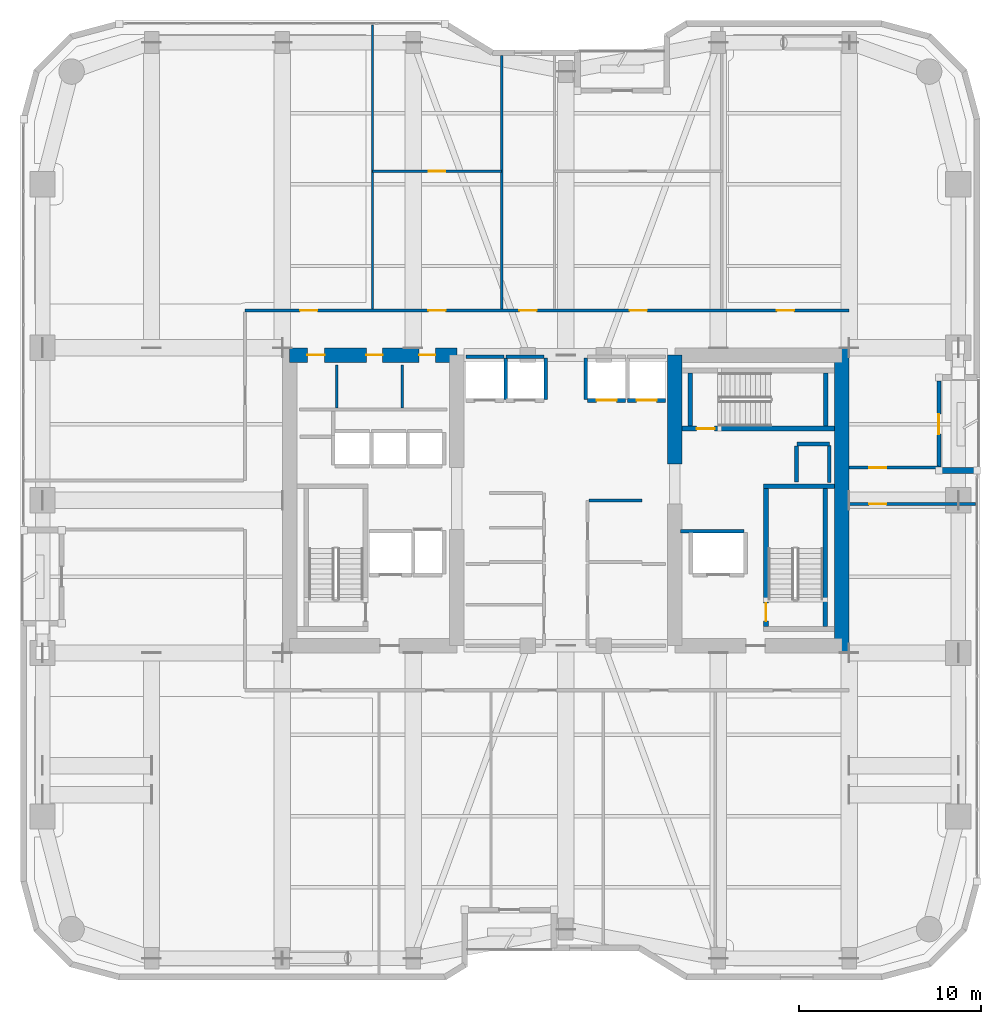
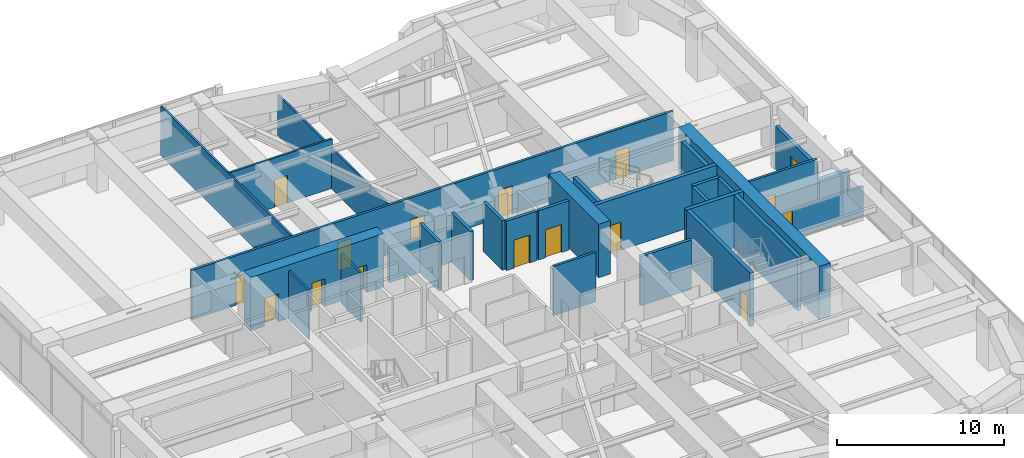
# One storey, part 21 of 25: 31 walls, 16 doors, 16 openings.
"""IFC4 building model written with IfcOpenShell, lengths in metres."""

from ifc_helpers import new_model, si_unit, direction, frame, frame_2d, origin, place, context, subcontext, project, spatial, rectangle, extrude, material, layer, layer_set, type_object, element, fill, save


model = new_model("IFC4")

# Units and contexts
model_context = context("Model", 3, precision=1e-05, world=origin(), true_north=direction((0.0, 1.0)))
body_context = subcontext(model_context, "Body", "Model", "MODEL_VIEW")
ifc_project = project(units=[si_unit("LENGTHUNIT", "METRE"), si_unit("AREAUNIT", "SQUARE_METRE"), si_unit("VOLUMEUNIT", "CUBIC_METRE"), si_unit("PLANEANGLEUNIT", "RADIAN"), si_unit("MASSUNIT", "GRAM", prefix="KILO")], contexts=[model_context])

# Site, building, storey
site_placement = place(None, origin())
site = spatial("IfcSite", under=ifc_project, at=site_placement, CompositionType="ELEMENT")
building_placement = place(site_placement, origin())
building = spatial("IfcBuilding", under=site, at=building_placement, Name="Kiyonajd Concourse Tower", CompositionType="ELEMENT")
storey_placement = place(building_placement, frame((0.0, 0.0, 141.60009765625)))
storey = spatial("IfcBuildingStorey", under=building, at=storey_placement, Name="L36", CompositionType="ELEMENT", Elevation=141.60009765625)

# Wall, openings, doors
ifc_material_1 = material(Name="Concrete C70/85", Category="concrete")
ifc_layer_1 = layer(ifc_material_1, 0.800048828125)
ifc_layer_set_1 = layer_set([ifc_layer_1], Name="Concrete C70/85")
wall_type_1 = type_object("IfcWallType", Name="WL-CORE-800", PredefinedType="SHEAR", material=ifc_layer_set_1)
wall_1_placement = place(storey_placement, frame((32.800048828125, 44.0, 0.0), z_axis=(0.0, 0.0, 1.0), x_axis=(1.0, 0.0, 0.0)))
wall_1 = element("IfcWall", 1, at=wall_1_placement, inside=storey, type_object=wall_type_1, Name="L36 West Core North Shear Wall", PredefinedType="SHEAR", context=body_context, shape_type="SweptSolid", body=[
    extrude(rectangle(XDim=9.199951171875, YDim=0.800048828125, at=frame_2d((4.60009765625, 0.0))), origin(), (0.0, 0.0, 1.0), 3.89990234375),
])
opening_1_placement = place(wall_1_placement, frame((0.97509765625, 0.0, 0.0)))
opening_1 = element("IfcOpeningElement", 2, at=opening_1_placement, cuts=wall_1, Name="Opening DI1", PredefinedType="OPENING", context=body_context, shape_type="SweptSolid", body=[
    extrude(rectangle(XDim=0.949951171875, YDim=2.0400390625, at=frame_2d((0.47509765625, 1.02001953125))), frame((0.0, 0.409912109375, 0.0), z_axis=(0.0, -1.0, 0.0), x_axis=(1.0, 0.0, 0.0)), (0.0, 0.0, 1.0), 0.820068359375),
])
opening_2_placement = place(wall_1_placement, frame((4.22509765625, 0.0, 0.0)))
opening_2 = element("IfcOpeningElement", 3, at=opening_2_placement, cuts=wall_1, Name="Opening DI2", PredefinedType="OPENING", context=body_context, shape_type="SweptSolid", body=[
    extrude(rectangle(XDim=0.89990234375, YDim=2.02001953125, at=frame_2d((0.449951171875, 1.010009765625))), frame((0.0, 0.409912109375, 0.0), z_axis=(0.0, -1.0, 0.0), x_axis=(1.0, 0.0, 0.0)), (0.0, 0.0, 1.0), 0.820068359375),
])
opening_3_placement = place(wall_1_placement, frame((7.125, 0.0, 0.0)))
opening_3 = element("IfcOpeningElement", 4, at=opening_3_placement, cuts=wall_1, Name="Opening DI2", PredefinedType="OPENING", context=body_context, shape_type="SweptSolid", body=[
    extrude(rectangle(XDim=0.89990234375, YDim=2.02001953125, at=frame_2d((0.449951171875, 1.010009765625))), frame((0.0, 0.409912109375, 0.0), z_axis=(0.0, -1.0, 0.0), x_axis=(1.0, 0.0, 0.0)), (0.0, 0.0, 1.0), 0.820068359375),
])
ifc_material_2 = material(Name="Natural Oak Acoustic Timber Veneer", Category="wood")
door_type_1 = type_object("IfcDoorType", Name="DR-INT-900", OperationType="NOTDEFINED", PredefinedType="DOOR", material=ifc_material_2)
door_1_placement = place(opening_2_placement, origin())
door_1 = element("IfcDoor", 5, at=door_1_placement, inside=storey, type_object=door_type_1, Name="L36 Male Restroom Door", OperationType="SINGLE_SWING_RIGHT", OverallHeight=2.02001953125, OverallWidth=0.89990234375, PredefinedType="DOOR", context=body_context, shape_type="SweptSolid", body=[
    extrude(rectangle(XDim=0.89990234375, YDim=2.02001953125, at=frame_2d((0.449951171875, 1.010009765625))), frame((0.0, 0.02490234375, 0.0), z_axis=(0.0, -1.0, 0.0), x_axis=(1.0, 0.0, 0.0)), (0.0, 0.0, 1.0), 0.050048828125),
])
fill(opening_2, door_1)
door_2_placement = place(opening_3_placement, origin())
door_2 = element("IfcDoor", 6, at=door_2_placement, inside=storey, type_object=door_type_1, Name="L36 Female Restroom Door", OperationType="SINGLE_SWING_LEFT", OverallHeight=2.02001953125, OverallWidth=0.89990234375, PredefinedType="DOOR", context=body_context, shape_type="SweptSolid", body=[
    extrude(rectangle(XDim=0.89990234375, YDim=2.02001953125, at=frame_2d((0.449951171875, 1.010009765625))), frame((0.0, 0.02490234375, 0.0), z_axis=(0.0, -1.0, 0.0), x_axis=(1.0, 0.0, 0.0)), (0.0, 0.0, 1.0), 0.050048828125),
])
fill(opening_3, door_2)
door_type_2 = type_object("IfcDoorType", Name="DR-INT-950", OperationType="NOTDEFINED", PredefinedType="DOOR", material=ifc_material_2)
door_3_placement = place(opening_1_placement, origin())
door_3 = element("IfcDoor", 7, at=door_3_placement, inside=storey, type_object=door_type_2, Name="L36 Single User Accessible WC Door", OperationType="SINGLE_SWING_LEFT", OverallHeight=2.0400390625, OverallWidth=0.949951171875, PredefinedType="DOOR", context=body_context, shape_type="SweptSolid", body=[
    extrude(rectangle(XDim=0.949951171875, YDim=2.0400390625, at=frame_2d((0.47509765625, 1.02001953125))), frame((0.0, 0.02490234375, 0.0), z_axis=(0.0, -1.0, 0.0), x_axis=(1.0, 0.0, 0.0)), (0.0, 0.0, 1.0), 0.050048828125),
])
fill(opening_1, door_3)

# Walls
wall_2_placement = place(storey_placement, frame((54.0, 38.0, 0.0), z_axis=(0.0, 0.0, 1.0), x_axis=(0.0, 1.0, 0.0)))
element("IfcWall", 8, at=wall_2_placement, inside=storey, type_object=wall_type_1, Name="L36 East Core Inner North Shear Wall", PredefinedType="SHEAR", context=body_context, shape_type="SweptSolid", body=[
    extrude(rectangle(XDim=6.0, YDim=0.800048828125, at=frame_2d((3.0, 0.0))), origin(), (0.0, 0.0, 1.0), 3.89990234375),
])
wall_3_placement = place(storey_placement, frame((63.199951171875, 27.60009765625, 0.0), z_axis=(0.0, 0.0, 1.0), x_axis=(0.0, 1.0, 0.0)))
element("IfcWall", 9, at=wall_3_placement, inside=storey, type_object=wall_type_1, Name="L36 East Core Outer Shear Wall", PredefinedType="SHEAR", context=body_context, shape_type="SweptSolid", body=[
    extrude(rectangle(XDim=16.7998046875, YDim=0.800048828125, at=frame_2d((8.39990234375, 0.0))), origin(), (0.0, 0.0, 1.0), 3.89990234375),
])
ifc_material_3 = material(Name="Precast concrete C50/60", Category="concrete")
ifc_layer_2 = layer(ifc_material_3, 0.320068359375)
ifc_layer_set_2 = layer_set([ifc_layer_2], Name="Precast concrete C50/60")
wall_type_2 = type_object("IfcWallType", Name="WL-EXT-320", PredefinedType="SOLIDWALL", material=ifc_layer_set_2)
wall_4_placement = place(storey_placement, frame((68.5400390625, 37.639892578125, 0.0), z_axis=(0.0, 0.0, 1.0), x_axis=(1.0, 0.0, 0.0)))
element("IfcWall", 10, at=wall_4_placement, inside=storey, type_object=wall_type_2, Name="L36 Exterior Concrete Frame Wall 23", PredefinedType="SOLIDWALL", context=body_context, shape_type="SweptSolid", body=[
    extrude(rectangle(XDim=2.099853515625, YDim=0.320068359375, at=frame_2d((1.0498046875, 0.0))), origin(), (0.0, 0.0, 1.0), 2.184814453125),
])

# Wall, opening, door
ifc_layer_3 = layer(ifc_material_3, 0.239990234375)
ifc_layer_set_3 = layer_set([ifc_layer_3], Name="Precast concrete C50/60")
wall_type_3 = type_object("IfcWallType", Name="WL-LOG-240", PredefinedType="SOLIDWALL", material=ifc_layer_set_3)
wall_5_placement = place(storey_placement, frame((68.5400390625, 42.56494140625, 0.0), z_axis=(0.0, 0.0, 1.0), x_axis=(0.0, -1.0, 0.0)))
wall_5 = element("IfcWall", 11, at=wall_5_placement, inside=storey, type_object=wall_type_3, Name="L36 Recessed Loggia Thermal Wall LOG-E", PredefinedType="SOLIDWALL", context=body_context, shape_type="SweptSolid", body=[
    extrude(rectangle(XDim=4.72998046875, YDim=0.239990234375, at=frame_2d((2.364990234375, 0.0))), origin(), (0.0, 0.0, 1.0), 3.121826171875),
])
opening_4_placement = place(wall_5_placement, frame((1.81494140625, 0.0, 0.0)))
opening_4 = element("IfcOpeningElement", 12, at=opening_4_placement, cuts=wall_5, Name="Opening DL2", PredefinedType="OPENING", context=body_context, shape_type="SweptSolid", body=[
    extrude(rectangle(XDim=1.10009765625, YDim=2.0400390625, at=frame_2d((0.550048828125, 1.02001953125))), frame((0.0, 0.1298828125, 0.0), z_axis=(0.0, -1.0, 0.0), x_axis=(1.0, 0.0, 0.0)), (0.0, 0.0, 1.0), 0.260009765625),
])
ifc_material_4 = material(Name="Thermally Broken Anodised Aluminium", Category="aluminium")
door_type_3 = type_object("IfcDoorType", Name="DR-LOG-1100", OperationType="NOTDEFINED", PredefinedType="DOOR", material=ifc_material_4)
door_4_placement = place(opening_4_placement, origin())
door_4 = element("IfcDoor", 13, at=door_4_placement, inside=storey, type_object=door_type_3, Name="L36 Engawa Loggia Access Door LOG-E", OperationType="SINGLE_SWING_LEFT", OverallHeight=2.0400390625, OverallWidth=1.10009765625, PredefinedType="DOOR", context=body_context, shape_type="SweptSolid", body=[
    extrude(rectangle(XDim=1.10009765625, YDim=2.0400390625, at=frame_2d((0.550048828125, 1.02001953125))), frame((0.0, 0.02490234375, 0.0), z_axis=(0.0, -1.0, 0.0), x_axis=(1.0, 0.0, 0.0)), (0.0, 0.0, 1.0), 0.050048828125),
])
fill(opening_4, door_4)

# Walls
ifc_material_5 = material(Name="Gypsum Board on Cold-Formed Steel Stud", Category="steel")
ifc_layer_4 = layer(ifc_material_5, 0.125)
ifc_layer_set_4 = layer_set([ifc_layer_4], Name="Gypsum Board on Cold-Formed Steel Stud")
wall_type_4 = type_object("IfcWallType", Name="WL-PART-125", PredefinedType="PARTITIONING", material=ifc_layer_set_4)
for number, where, z_axis, x_axis, name in (
    (14, (35.39990234375, 41.094970703125, 0.0), (0.0, 0.0, 1.0), (0.0, 1.0, 0.0), "L36 Interior Partition Wall"),
    (15, (39.0, 41.094970703125, 0.0), (0.0, 0.0, 1.0), (0.0, 1.0, 0.0), "L36 Interior Partition Wall"),
):
    element("IfcWall", number, at=place(storey_placement, frame(where, z_axis=z_axis, x_axis=x_axis)), inside=storey, type_object=wall_type_4, Name=name, PredefinedType="PARTITIONING", context=body_context, shape_type="SweptSolid", body=[
        extrude(rectangle(XDim=2.35498046875, YDim=0.125, at=frame_2d((1.177490234375, 0.0))), origin(), (0.0, 0.0, 1.0), 3.599853515625),
    ])

# Wall, opening, door
wall_6_placement = place(storey_placement, frame((37.360107421875, 54.110107421875, 0.0), z_axis=(0.0, 0.0, 1.0), x_axis=(1.0, 0.0, 0.0)))
wall_6 = element("IfcWall", 16, at=wall_6_placement, inside=storey, type_object=wall_type_4, Name="L36 Interior Partition Wall", PredefinedType="PARTITIONING", context=body_context, shape_type="SweptSolid", body=[
    extrude(rectangle(XDim=7.10986328125, YDim=0.125, at=frame_2d((3.554931640625, 0.0))), origin(), (0.0, 0.0, 1.0), 3.599853515625),
])
opening_5_placement = place(wall_6_placement, frame((3.10498046875, 0.0, 0.0)))
opening_5 = element("IfcOpeningElement", 17, at=opening_5_placement, cuts=wall_6, Name="Opening DI2", PredefinedType="OPENING", context=body_context, shape_type="SweptSolid", body=[
    extrude(rectangle(XDim=0.89990234375, YDim=2.02001953125, at=frame_2d((0.449951171875, 1.010009765625))), frame((0.0, 0.072509765625, 0.0), z_axis=(0.0, -1.0, 0.0), x_axis=(1.0, 0.0, 0.0)), (0.0, 0.0, 1.0), 0.14501953125),
])
door_5_placement = place(opening_5_placement, origin())
door_5 = element("IfcDoor", 18, at=door_5_placement, inside=storey, type_object=door_type_1, Name="L36 Interior Door", OperationType="SINGLE_SWING_RIGHT", OverallHeight=2.02001953125, OverallWidth=0.89990234375, PredefinedType="DOOR", context=body_context, shape_type="SweptSolid", body=[
    extrude(rectangle(XDim=0.89990234375, YDim=2.02001953125, at=frame_2d((0.449951171875, 1.010009765625))), frame((0.0, 0.02490234375, 0.0), z_axis=(0.0, -1.0, 0.0), x_axis=(1.0, 0.0, 0.0)), (0.0, 0.0, 1.0), 0.050048828125),
])
fill(opening_5, door_5)

# Walls
wall_7_placement = place(storey_placement, frame((37.360107421875, 46.537109375, 0.0), z_axis=(0.0, 0.0, 1.0), x_axis=(0.0, 1.0, 0.0)))
element("IfcWall", 19, at=wall_7_placement, inside=storey, type_object=wall_type_4, Name="L36 Interior Partition Wall", PredefinedType="PARTITIONING", context=body_context, shape_type="SweptSolid", body=[
    extrude(rectangle(XDim=15.617919921875, YDim=0.125, at=frame_2d((7.80908203125, 0.0))), origin(), (0.0, 0.0, 1.0), 3.599853515625),
])
wall_8_placement = place(storey_placement, frame((44.469970703125, 46.537109375, 0.0), z_axis=(0.0, 0.0, 1.0), x_axis=(0.0, 1.0, 0.0)))
element("IfcWall", 20, at=wall_8_placement, inside=storey, type_object=wall_type_4, Name="L36 Interior Partition Wall", PredefinedType="PARTITIONING", context=body_context, shape_type="SweptSolid", body=[
    extrude(rectangle(XDim=13.947998046875, YDim=0.125, at=frame_2d((6.97412109375, 0.0))), origin(), (0.0, 0.0, 1.0), 2.962890625),
])
ifc_layer_5 = layer(ifc_material_5, 0.2099609375)
ifc_layer_set_5 = layer_set([ifc_layer_5], Name="Gypsum Board on Cold-Formed Steel Stud")
wall_type_5 = type_object("IfcWallType", Name="WL-SHAFT-210", PredefinedType="PARTITIONING", material=ifc_layer_set_5)
wall_9_placement = place(storey_placement, frame((60.719970703125, 39.10009765625, 0.0), z_axis=(0.0, 0.0, 1.0), x_axis=(1.0, 0.0, 0.0)))
element("IfcWall", 21, at=wall_9_placement, inside=storey, type_object=wall_type_5, Name="L36 Shaft Enclosure Wall", PredefinedType="PARTITIONING", context=body_context, shape_type="SweptSolid", body=[
    extrude(rectangle(XDim=1.800048828125, YDim=0.2099609375, at=frame_2d((0.89990234375, 0.0))), origin(), (0.0, 0.0, 1.0), 3.599853515625),
])
wall_10_placement = place(storey_placement, frame((60.699951171875, 37.02001953125, 0.0), z_axis=(0.0, 0.0, 1.0), x_axis=(0.0, 1.0, 0.0)))
element("IfcWall", 22, at=wall_10_placement, inside=storey, type_object=wall_type_5, Name="L36 Shaft Enclosure Wall", PredefinedType="PARTITIONING", context=body_context, shape_type="SweptSolid", body=[
    extrude(rectangle(XDim=1.9599609375, YDim=0.2099609375, at=frame_2d((0.97998046875, 0.0))), origin(), (0.0, 0.0, 1.0), 3.599853515625),
])
wall_11_placement = place(storey_placement, frame((62.5, 36.97998046875, 0.0), z_axis=(0.0, 0.0, 1.0), x_axis=(0.0, 1.0, 0.0)))
element("IfcWall", 23, at=wall_11_placement, inside=storey, type_object=wall_type_5, Name="L36 Shaft Enclosure Wall", PredefinedType="PARTITIONING", context=body_context, shape_type="SweptSolid", body=[
    extrude(rectangle(XDim=2.0400390625, YDim=0.2099609375, at=frame_2d((1.02001953125, 0.0))), origin(), (0.0, 0.0, 1.0), 3.599853515625),
])
wall_12_placement = place(storey_placement, frame((54.320068359375, 34.300048828125, 0.0), z_axis=(0.0, 0.0, 1.0), x_axis=(1.0, 0.0, 0.0)))
element("IfcWall", 24, at=wall_12_placement, inside=storey, type_object=wall_type_5, Name="L36 Shaft Enclosure Wall", PredefinedType="PARTITIONING", context=body_context, shape_type="SweptSolid", body=[
    extrude(rectangle(XDim=3.47998046875, YDim=0.2099609375, at=frame_2d((1.739990234375, 0.0))), origin(), (0.0, 0.0, 1.0), 3.599853515625),
])
wall_13_placement = place(storey_placement, frame((42.5, 43.89990234375, 0.0), z_axis=(0.0, 0.0, 1.0), x_axis=(1.0, 0.0, 0.0)))
element("IfcWall", 25, at=wall_13_placement, inside=storey, type_object=wall_type_5, Name="L36 Shaft Enclosure Wall", PredefinedType="PARTITIONING", context=body_context, shape_type="SweptSolid", body=[
    extrude(rectangle(XDim=2.10009765625, YDim=0.2099609375, at=frame_2d((1.050048828125, 0.0))), origin(), (0.0, 0.0, 1.0), 2.48486328125),
])
wall_14_placement = place(storey_placement, frame((44.699951171875, 41.56005859375, 0.0), z_axis=(0.0, 0.0, 1.0), x_axis=(0.0, 1.0, 0.0)))
element("IfcWall", 26, at=wall_14_placement, inside=storey, type_object=wall_type_5, Name="L36 Shaft Enclosure Wall", PredefinedType="PARTITIONING", context=body_context, shape_type="SweptSolid", body=[
    extrude(rectangle(XDim=2.280029296875, YDim=0.2099609375, at=frame_2d((1.14013671875, 0.0))), origin(), (0.0, 0.0, 1.0), 3.599853515625),
])
wall_15_placement = place(storey_placement, frame((44.699951171875, 43.89990234375, 0.0), z_axis=(0.0, 0.0, 1.0), x_axis=(1.0, 0.0, 0.0)))
element("IfcWall", 27, at=wall_15_placement, inside=storey, type_object=wall_type_5, Name="L36 Shaft Enclosure Wall", PredefinedType="PARTITIONING", context=body_context, shape_type="SweptSolid", body=[
    extrude(rectangle(XDim=2.10009765625, YDim=0.2099609375, at=frame_2d((1.050048828125, 0.0))), origin(), (0.0, 0.0, 1.0), 2.48486328125),
])
wall_16_placement = place(storey_placement, frame((46.89990234375, 41.56005859375, 0.0), z_axis=(0.0, 0.0, 1.0), x_axis=(0.0, 1.0, 0.0)))
element("IfcWall", 28, at=wall_16_placement, inside=storey, type_object=wall_type_5, Name="L36 Shaft Enclosure Wall", PredefinedType="PARTITIONING", context=body_context, shape_type="SweptSolid", body=[
    extrude(rectangle(XDim=2.280029296875, YDim=0.2099609375, at=frame_2d((1.14013671875, 0.0))), origin(), (0.0, 0.0, 1.0), 3.599853515625),
])

# Wall, opening, door
wall_17_placement = place(storey_placement, frame((49.199951171875, 41.5, 0.0), z_axis=(0.0, 0.0, 1.0), x_axis=(1.0, 0.0, 0.0)))
wall_17 = element("IfcWall", 29, at=wall_17_placement, inside=storey, type_object=wall_type_5, Name="L36 Shaft Enclosure Wall", PredefinedType="PARTITIONING", context=body_context, shape_type="SweptSolid", body=[
    extrude(rectangle(XDim=2.10009765625, YDim=0.2099609375, at=frame_2d((1.050048828125, 0.0))), origin(), (0.0, 0.0, 1.0), 3.599853515625),
])
opening_6_placement = place(wall_17_placement, frame((0.5, 0.0, 0.0)))
opening_6 = element("IfcOpeningElement", 30, at=opening_6_placement, cuts=wall_17, Name="Opening LD1", PredefinedType="OPENING", context=body_context, shape_type="SweptSolid", body=[
    extrude(rectangle(XDim=1.10009765625, YDim=2.0400390625, at=frame_2d((0.550048828125, 1.02001953125))), frame((0.0, 0.114990234375, 0.0), z_axis=(0.0, -1.0, 0.0), x_axis=(1.0, 0.0, 0.0)), (0.0, 0.0, 1.0), 0.22998046875),
])
ifc_material_6 = material(Name="Brushed Stainless Steel Cab Assembly", Category="steel")
door_type_4 = type_object("IfcDoorType", Name="DR-LD-1100", OperationType="DOUBLE_DOOR_SLIDING", PredefinedType="DOOR", material=ifc_material_6)
door_6_placement = place(opening_6_placement, origin())
door_6 = element("IfcDoor", 31, at=door_6_placement, inside=storey, type_object=door_type_4, Name="L36 Lift PL-M3 Sliding Landing Door", OperationType="DOUBLE_DOOR_SLIDING", OverallHeight=2.0400390625, OverallWidth=1.10009765625, PredefinedType="DOOR", context=body_context, shape_type="SweptSolid", body=[
    extrude(rectangle(XDim=1.10009765625, YDim=2.0400390625, at=frame_2d((0.550048828125, 1.02001953125))), frame((0.0, 0.02490234375, 0.0), z_axis=(0.0, -1.0, 0.0), x_axis=(1.0, 0.0, 0.0)), (0.0, 0.0, 1.0), 0.050048828125),
])
fill(opening_6, door_6)

# Wall
wall_18_placement = place(storey_placement, frame((49.10009765625, 41.56005859375, 0.0), z_axis=(0.0, 0.0, 1.0), x_axis=(0.0, 1.0, 0.0)))
element("IfcWall", 32, at=wall_18_placement, inside=storey, type_object=wall_type_5, Name="L36 Shaft Enclosure Wall", PredefinedType="PARTITIONING", context=body_context, shape_type="SweptSolid", body=[
    extrude(rectangle(XDim=2.280029296875, YDim=0.2099609375, at=frame_2d((1.14013671875, 0.0))), origin(), (0.0, 0.0, 1.0), 3.599853515625),
])

# Wall, opening, door
wall_19_placement = place(storey_placement, frame((51.39990234375, 41.5, 0.0), z_axis=(0.0, 0.0, 1.0), x_axis=(1.0, 0.0, 0.0)))
wall_19 = element("IfcWall", 33, at=wall_19_placement, inside=storey, type_object=wall_type_5, Name="L36 Shaft Enclosure Wall", PredefinedType="PARTITIONING", context=body_context, shape_type="SweptSolid", body=[
    extrude(rectangle(XDim=2.10009765625, YDim=0.2099609375, at=frame_2d((1.050048828125, 0.0))), origin(), (0.0, 0.0, 1.0), 3.599853515625),
])
opening_7_placement = place(wall_19_placement, frame((0.5, 0.0, 0.0)))
opening_7 = element("IfcOpeningElement", 34, at=opening_7_placement, cuts=wall_19, Name="Opening LD1", PredefinedType="OPENING", context=body_context, shape_type="SweptSolid", body=[
    extrude(rectangle(XDim=1.10009765625, YDim=2.0400390625, at=frame_2d((0.550048828125, 1.02001953125))), frame((0.0, 0.114990234375, 0.0), z_axis=(0.0, -1.0, 0.0), x_axis=(1.0, 0.0, 0.0)), (0.0, 0.0, 1.0), 0.22998046875),
])
door_7_placement = place(opening_7_placement, origin())
door_7 = element("IfcDoor", 35, at=door_7_placement, inside=storey, type_object=door_type_4, Name="L36 Lift PL-M4 Sliding Landing Door", OperationType="DOUBLE_DOOR_SLIDING", OverallHeight=2.0400390625, OverallWidth=1.10009765625, PredefinedType="DOOR", context=body_context, shape_type="SweptSolid", body=[
    extrude(rectangle(XDim=1.10009765625, YDim=2.0400390625, at=frame_2d((0.550048828125, 1.02001953125))), frame((0.0, 0.02490234375, 0.0), z_axis=(0.0, -1.0, 0.0), x_axis=(1.0, 0.0, 0.0)), (0.0, 0.0, 1.0), 0.050048828125),
])
fill(opening_7, door_7)

# Wall
ifc_layer_6 = layer(ifc_material_5, 0.169921875)
ifc_layer_set_6 = layer_set([ifc_layer_6], Name="Gypsum Board on Cold-Formed Steel Stud")
wall_type_6 = type_object("IfcWallType", Name="WL-SMK-170", PredefinedType="PARTITIONING", material=ifc_layer_set_6)
wall_20_placement = place(storey_placement, frame((49.287109375, 36.0, 0.0), z_axis=(0.0, 0.0, 1.0), x_axis=(1.0, 0.0, 0.0)))
element("IfcWall", 36, at=wall_20_placement, inside=storey, type_object=wall_type_6, Name="L36 Interior Partition Wall", PredefinedType="PARTITIONING", context=body_context, shape_type="SweptSolid", body=[
    extrude(rectangle(XDim=2.912841796875, YDim=0.169921875, at=frame_2d((1.45654296875, 0.0))), origin(), (0.0, 0.0, 1.0), 3.599853515625),
])

# Wall, openings, doors
wall_21_placement = place(storey_placement, frame((30.35009765625, 46.449951171875, 0.0), z_axis=(0.0, 0.0, 1.0), x_axis=(1.0, 0.0, 0.0)))
wall_21 = element("IfcWall", 37, at=wall_21_placement, inside=storey, type_object=wall_type_6, Name="L36 Interior Partition Wall", PredefinedType="PARTITIONING", context=body_context, shape_type="SweptSolid", body=[
    extrude(rectangle(XDim=33.25, YDim=0.169921875, at=frame_2d((16.625, 0.0))), origin(), (0.0, 0.0, 1.0), 3.599853515625),
])
opening_8_placement = place(wall_21_placement, frame((3.030029296875, 0.0, 0.0)))
opening_8 = element("IfcOpeningElement", 38, at=opening_8_placement, cuts=wall_21, Name="Opening DI1", PredefinedType="OPENING", context=body_context, shape_type="SweptSolid", body=[
    extrude(rectangle(XDim=0.949951171875, YDim=2.0400390625, at=frame_2d((0.47509765625, 1.02001953125))), frame((0.0, 0.094970703125, 0.0), z_axis=(0.0, -1.0, 0.0), x_axis=(1.0, 0.0, 0.0)), (0.0, 0.0, 1.0), 0.18994140625),
])
opening_9_placement = place(wall_21_placement, frame((10.090087890625, 0.0, 0.0)))
opening_9 = element("IfcOpeningElement", 39, at=opening_9_placement, cuts=wall_21, Name="Opening DI1", PredefinedType="OPENING", context=body_context, shape_type="SweptSolid", body=[
    extrude(rectangle(XDim=0.949951171875, YDim=2.0400390625, at=frame_2d((0.47509765625, 1.02001953125))), frame((0.0, 0.094970703125, 0.0), z_axis=(0.0, -1.0, 0.0), x_axis=(1.0, 0.0, 0.0)), (0.0, 0.0, 1.0), 0.18994140625),
])
opening_10_placement = place(wall_21_placement, frame((15.10009765625, 0.0, 0.0)))
opening_10 = element("IfcOpeningElement", 40, at=opening_10_placement, cuts=wall_21, Name="Opening DI1", PredefinedType="OPENING", context=body_context, shape_type="SweptSolid", body=[
    extrude(rectangle(XDim=0.949951171875, YDim=2.0400390625, at=frame_2d((0.47509765625, 1.02001953125))), frame((0.0, 0.094970703125, 0.0), z_axis=(0.0, -1.0, 0.0), x_axis=(1.0, 0.0, 0.0)), (0.0, 0.0, 1.0), 0.18994140625),
])
opening_11_placement = place(wall_21_placement, frame((21.159912109375, 0.0, 0.0)))
opening_11 = element("IfcOpeningElement", 41, at=opening_11_placement, cuts=wall_21, Name="Opening DI1", PredefinedType="OPENING", context=body_context, shape_type="SweptSolid", body=[
    extrude(rectangle(XDim=0.949951171875, YDim=2.0400390625, at=frame_2d((0.47509765625, 1.02001953125))), frame((0.0, 0.094970703125, 0.0), z_axis=(0.0, -1.0, 0.0), x_axis=(1.0, 0.0, 0.0)), (0.0, 0.0, 1.0), 0.18994140625),
])
opening_12_placement = place(wall_21_placement, frame((29.27001953125, 0.0, 0.0)))
opening_12 = element("IfcOpeningElement", 42, at=opening_12_placement, cuts=wall_21, Name="Opening DI1", PredefinedType="OPENING", context=body_context, shape_type="SweptSolid", body=[
    extrude(rectangle(XDim=0.949951171875, YDim=2.0400390625, at=frame_2d((0.47509765625, 1.02001953125))), frame((0.0, 0.094970703125, 0.0), z_axis=(0.0, -1.0, 0.0), x_axis=(1.0, 0.0, 0.0)), (0.0, 0.0, 1.0), 0.18994140625),
])
door_8_placement = place(opening_8_placement, origin())
door_8 = element("IfcDoor", 43, at=door_8_placement, inside=storey, type_object=door_type_2, Name="L36 Interior Door", OperationType="SINGLE_SWING_LEFT", OverallHeight=2.0400390625, OverallWidth=0.949951171875, PredefinedType="DOOR", context=body_context, shape_type="SweptSolid", body=[
    extrude(rectangle(XDim=0.949951171875, YDim=2.0400390625, at=frame_2d((0.47509765625, 1.02001953125))), frame((0.0, 0.02490234375, 0.0), z_axis=(0.0, -1.0, 0.0), x_axis=(1.0, 0.0, 0.0)), (0.0, 0.0, 1.0), 0.050048828125),
])
fill(opening_8, door_8)
door_9_placement = place(opening_9_placement, origin())
door_9 = element("IfcDoor", 44, at=door_9_placement, inside=storey, type_object=door_type_2, Name="L36 Interior Door", OperationType="SINGLE_SWING_LEFT", OverallHeight=2.0400390625, OverallWidth=0.949951171875, PredefinedType="DOOR", context=body_context, shape_type="SweptSolid", body=[
    extrude(rectangle(XDim=0.949951171875, YDim=2.0400390625, at=frame_2d((0.47509765625, 1.02001953125))), frame((0.0, 0.02490234375, 0.0), z_axis=(0.0, -1.0, 0.0), x_axis=(1.0, 0.0, 0.0)), (0.0, 0.0, 1.0), 0.050048828125),
])
fill(opening_9, door_9)
door_10_placement = place(opening_10_placement, origin())
door_10 = element("IfcDoor", 45, at=door_10_placement, inside=storey, type_object=door_type_2, Name="L36 Interior Door", OperationType="SINGLE_SWING_RIGHT", OverallHeight=2.0400390625, OverallWidth=0.949951171875, PredefinedType="DOOR", context=body_context, shape_type="SweptSolid", body=[
    extrude(rectangle(XDim=0.949951171875, YDim=2.0400390625, at=frame_2d((0.47509765625, 1.02001953125))), frame((0.0, 0.02490234375, 0.0), z_axis=(0.0, -1.0, 0.0), x_axis=(1.0, 0.0, 0.0)), (0.0, 0.0, 1.0), 0.050048828125),
])
fill(opening_10, door_10)
door_11_placement = place(opening_11_placement, origin())
door_11 = element("IfcDoor", 46, at=door_11_placement, inside=storey, type_object=door_type_2, Name="L36 Interior Door", OperationType="SINGLE_SWING_RIGHT", OverallHeight=2.0400390625, OverallWidth=0.949951171875, PredefinedType="DOOR", context=body_context, shape_type="SweptSolid", body=[
    extrude(rectangle(XDim=0.949951171875, YDim=2.0400390625, at=frame_2d((0.47509765625, 1.02001953125))), frame((0.0, 0.02490234375, 0.0), z_axis=(0.0, -1.0, 0.0), x_axis=(1.0, 0.0, 0.0)), (0.0, 0.0, 1.0), 0.050048828125),
])
fill(opening_11, door_11)
door_12_placement = place(opening_12_placement, origin())
door_12 = element("IfcDoor", 47, at=door_12_placement, inside=storey, type_object=door_type_2, Name="L36 Interior Door", OperationType="SINGLE_SWING_LEFT", OverallHeight=2.0400390625, OverallWidth=0.949951171875, PredefinedType="DOOR", context=body_context, shape_type="SweptSolid", body=[
    extrude(rectangle(XDim=0.949951171875, YDim=2.0400390625, at=frame_2d((0.47509765625, 1.02001953125))), frame((0.0, 0.02490234375, 0.0), z_axis=(0.0, -1.0, 0.0), x_axis=(1.0, 0.0, 0.0)), (0.0, 0.0, 1.0), 0.050048828125),
])
fill(opening_12, door_12)

# Wall, opening, door
wall_22_placement = place(storey_placement, frame((63.60009765625, 35.800048828125, 0.0), z_axis=(0.0, 0.0, 1.0), x_axis=(1.0, 0.0, 0.0)))
wall_22 = element("IfcWall", 48, at=wall_22_placement, inside=storey, type_object=wall_type_6, Name="L36 Interior Partition Wall", PredefinedType="PARTITIONING", context=body_context, shape_type="SweptSolid", body=[
    extrude(rectangle(XDim=6.954833984375, YDim=0.169921875, at=frame_2d((3.4775390625, 0.0))), origin(), (0.0, 0.0, 1.0), 2.135009765625),
])
opening_13_placement = place(wall_22_placement, frame((1.10009765625, 0.0, 0.0)))
opening_13 = element("IfcOpeningElement", 49, at=opening_13_placement, cuts=wall_22, Name="Opening DI1", PredefinedType="OPENING", context=body_context, shape_type="SweptSolid", body=[
    extrude(rectangle(XDim=0.949951171875, YDim=2.0400390625, at=frame_2d((0.47509765625, 1.02001953125))), frame((0.0, 0.094970703125, 0.0), z_axis=(0.0, -1.0, 0.0), x_axis=(1.0, 0.0, 0.0)), (0.0, 0.0, 1.0), 0.18994140625),
])
door_13_placement = place(opening_13_placement, origin())
door_13 = element("IfcDoor", 50, at=door_13_placement, inside=storey, type_object=door_type_2, Name="L36 Interior Door", OperationType="SINGLE_SWING_RIGHT", OverallHeight=2.0400390625, OverallWidth=0.949951171875, PredefinedType="DOOR", context=body_context, shape_type="SweptSolid", body=[
    extrude(rectangle(XDim=0.949951171875, YDim=2.0400390625, at=frame_2d((0.47509765625, 1.02001953125))), frame((0.0, 0.02490234375, 0.0), z_axis=(0.0, -1.0, 0.0), x_axis=(1.0, 0.0, 0.0)), (0.0, 0.0, 1.0), 0.050048828125),
])
fill(opening_13, door_13)

wall_23_placement = place(storey_placement, frame((63.60009765625, 37.800048828125, 0.0), z_axis=(0.0, 0.0, 1.0), x_axis=(1.0, 0.0, 0.0)))
wall_23 = element("IfcWall", 51, at=wall_23_placement, inside=storey, type_object=wall_type_6, Name="L36 Interior Partition Wall", PredefinedType="PARTITIONING", context=body_context, shape_type="SweptSolid", body=[
    extrude(rectangle(XDim=4.93994140625, YDim=0.169921875, at=frame_2d((2.469970703125, 0.0))), origin(), (0.0, 0.0, 1.0), 3.599853515625),
])
opening_14_placement = place(wall_23_placement, frame((1.10009765625, 0.0, 0.0)))
opening_14 = element("IfcOpeningElement", 52, at=opening_14_placement, cuts=wall_23, Name="Opening DI1", PredefinedType="OPENING", context=body_context, shape_type="SweptSolid", body=[
    extrude(rectangle(XDim=0.949951171875, YDim=2.0400390625, at=frame_2d((0.47509765625, 1.02001953125))), frame((0.0, 0.094970703125, 0.0), z_axis=(0.0, -1.0, 0.0), x_axis=(1.0, 0.0, 0.0)), (0.0, 0.0, 1.0), 0.18994140625),
])
door_14_placement = place(opening_14_placement, origin())
door_14 = element("IfcDoor", 53, at=door_14_placement, inside=storey, type_object=door_type_2, Name="L36 Interior Door", OperationType="SINGLE_SWING_LEFT", OverallHeight=2.0400390625, OverallWidth=0.949951171875, PredefinedType="DOOR", context=body_context, shape_type="SweptSolid", body=[
    extrude(rectangle(XDim=0.949951171875, YDim=2.0400390625, at=frame_2d((0.47509765625, 1.02001953125))), frame((0.0, 0.02490234375, 0.0), z_axis=(0.0, -1.0, 0.0), x_axis=(1.0, 0.0, 0.0)), (0.0, 0.0, 1.0), 0.050048828125),
])
fill(opening_14, door_14)

# Wall
ifc_material_7 = material(Name="Concrete C50/60", Category="concrete")
ifc_layer_7 = layer(ifc_material_7, 0.260009765625)
ifc_layer_set_7 = layer_set([ifc_layer_7], Name="Concrete C50/60")
wall_type_7 = type_object("IfcWallType", Name="WL-STAIR-260", PredefinedType="SHEAR", material=ifc_layer_set_7)
wall_24_placement = place(storey_placement, frame((58.889892578125, 36.780029296875, 0.0), z_axis=(0.0, 0.0, 1.0), x_axis=(1.0, 0.0, 0.0)))
element("IfcWall", 54, at=wall_24_placement, inside=storey, type_object=wall_type_7, Name="L36 Stair ST2 Structural North Wall", PredefinedType="SHEAR", context=body_context, shape_type="SweptSolid", body=[
    extrude(rectangle(XDim=3.91015625, YDim=0.260009765625, at=frame_2d((1.955078125, 0.0))), origin(), (0.0, 0.0, 1.0), 3.89990234375),
])

# Wall, opening, door
wall_25_placement = place(storey_placement, frame((59.02001953125, 29.050048828125, 0.0), z_axis=(0.0, 0.0, 1.0), x_axis=(0.0, 1.0, 0.0)))
wall_25 = element("IfcWall", 55, at=wall_25_placement, inside=storey, type_object=wall_type_7, Name="L36 Stair ST2 Structural West Wall", PredefinedType="SHEAR", context=body_context, shape_type="SweptSolid", body=[
    extrude(rectangle(XDim=7.599853515625, YDim=0.260009765625, at=frame_2d((3.7998046875, 0.0))), origin(), (0.0, 0.0, 1.0), 3.89990234375),
])
opening_15_placement = place(wall_25_placement, frame((0.300048828125, 0.0, 0.0)))
opening_15 = element("IfcOpeningElement", 56, at=opening_15_placement, cuts=wall_25, Name="Opening DF1", PredefinedType="OPENING", context=body_context, shape_type="SweptSolid", body=[
    extrude(rectangle(XDim=1.0, YDim=2.0400390625, at=frame_2d((0.5, 1.02001953125))), frame((0.0, 0.139892578125, 0.0), z_axis=(0.0, -1.0, 0.0), x_axis=(1.0, 0.0, 0.0)), (0.0, 0.0, 1.0), 0.280029296875),
])
door_type_5 = type_object("IfcDoorType", Name="DR-FD90-1000", OperationType="NOTDEFINED", PredefinedType="DOOR", material=ifc_material_6)
door_15_placement = place(opening_15_placement, origin())
door_15 = element("IfcDoor", 57, at=door_15_placement, inside=storey, type_object=door_type_5, Name="L36 Stair ST2 FSAE Door", OperationType="SINGLE_SWING_RIGHT", OverallHeight=2.0400390625, OverallWidth=1.0, PredefinedType="DOOR", context=body_context, shape_type="SweptSolid", body=[
    extrude(rectangle(XDim=1.0, YDim=2.0400390625, at=frame_2d((0.5, 1.02001953125))), frame((0.0, 0.02490234375, 0.0), z_axis=(0.0, -1.0, 0.0), x_axis=(1.0, 0.0, 0.0)), (0.0, 0.0, 1.0), 0.050048828125),
])
fill(opening_15, door_15)

# Wall
wall_26_placement = place(storey_placement, frame((62.280029296875, 29.050048828125, 0.0), z_axis=(0.0, 0.0, 1.0), x_axis=(0.0, 1.0, 0.0)))
element("IfcWall", 58, at=wall_26_placement, inside=storey, type_object=wall_type_7, Name="L36 Stair ST2 Structural East Wall", PredefinedType="SHEAR", context=body_context, shape_type="SweptSolid", body=[
    extrude(rectangle(XDim=7.599853515625, YDim=0.260009765625, at=frame_2d((3.7998046875, 0.0))), origin(), (0.0, 0.0, 1.0), 3.89990234375),
])

# Wall, opening, door
wall_27_placement = place(storey_placement, frame((54.39990234375, 39.949951171875, 0.0), z_axis=(0.0, 0.0, 1.0), x_axis=(1.0, 0.0, 0.0)))
wall_27 = element("IfcWall", 59, at=wall_27_placement, inside=storey, type_object=wall_type_7, Name="L36 Stair ST3 Structural South Wall", PredefinedType="SHEAR", context=body_context, shape_type="SweptSolid", body=[
    extrude(rectangle(XDim=8.400146484375, YDim=0.260009765625, at=frame_2d((4.2001953125, 0.0))), origin(), (0.0, 0.0, 1.0), 3.89990234375),
])
opening_16_placement = place(wall_27_placement, frame((0.800048828125, 0.0, 0.0)))
opening_16 = element("IfcOpeningElement", 60, at=opening_16_placement, cuts=wall_27, Name="Opening DF1", PredefinedType="OPENING", context=body_context, shape_type="SweptSolid", body=[
    extrude(rectangle(XDim=1.0, YDim=2.0400390625, at=frame_2d((0.5, 1.02001953125))), frame((0.0, 0.139892578125, 0.0), z_axis=(0.0, -1.0, 0.0), x_axis=(1.0, 0.0, 0.0)), (0.0, 0.0, 1.0), 0.280029296875),
])
door_16_placement = place(opening_16_placement, origin())
door_16 = element("IfcDoor", 61, at=door_16_placement, inside=storey, type_object=door_type_5, Name="L36 Stair ST3 Enclosure Door", OperationType="SINGLE_SWING_LEFT", OverallHeight=2.0400390625, OverallWidth=1.0, PredefinedType="DOOR", context=body_context, shape_type="SweptSolid", body=[
    extrude(rectangle(XDim=1.0, YDim=2.0400390625, at=frame_2d((0.5, 1.02001953125))), frame((0.0, 0.02490234375, 0.0), z_axis=(0.0, -1.0, 0.0), x_axis=(1.0, 0.0, 0.0)), (0.0, 0.0, 1.0), 0.050048828125),
])
fill(opening_16, door_16)

# Walls
for number, where, z_axis, x_axis, name in (
    (62, (54.85009765625, 40.080078125, 0.0), (0.0, 0.0, 1.0), (0.0, 1.0, 0.0), "L36 Stair ST3 Structural West Wall"),
    (63, (62.31005859375, 40.080078125, 0.0), (0.0, 0.0, 1.0), (0.0, 1.0, 0.0), "L36 Stair ST3 Structural East Wall"),
):
    element("IfcWall", number, at=place(storey_placement, frame(where, z_axis=z_axis, x_axis=x_axis)), inside=storey, type_object=wall_type_7, Name=name, PredefinedType="SHEAR", context=body_context, shape_type="SweptSolid", body=[
        extrude(rectangle(XDim=2.93994140625, YDim=0.260009765625, at=frame_2d((1.469970703125, 0.0))), origin(), (0.0, 0.0, 1.0), 3.89990234375),
    ])

save(model, "model.ifc")
